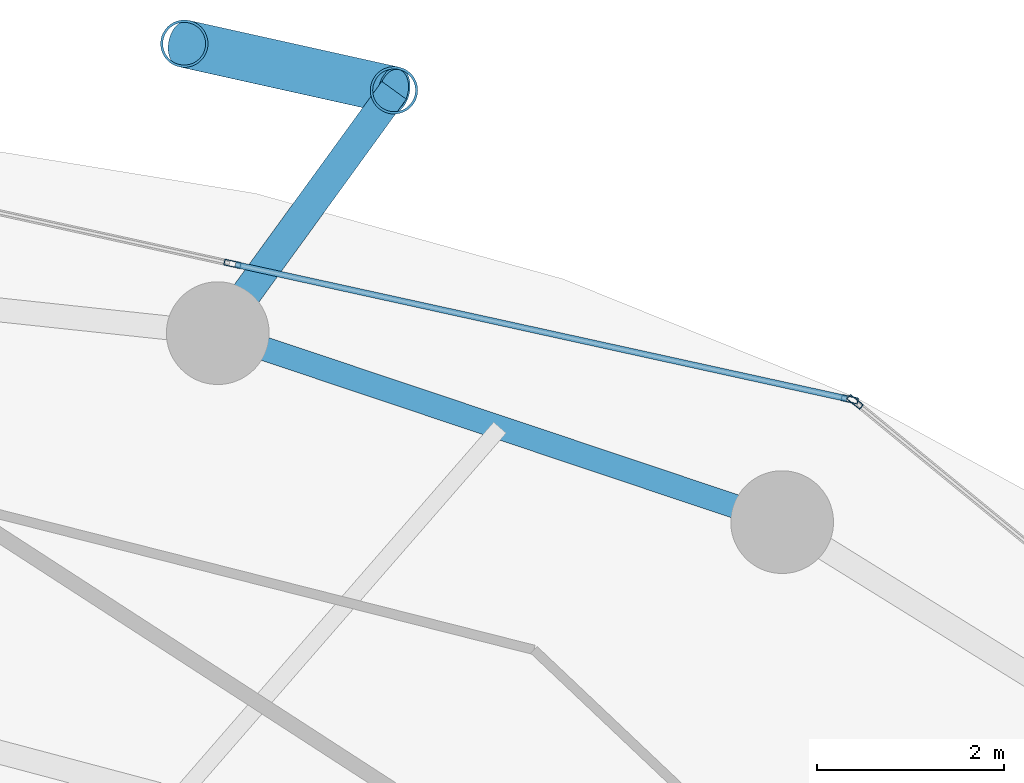
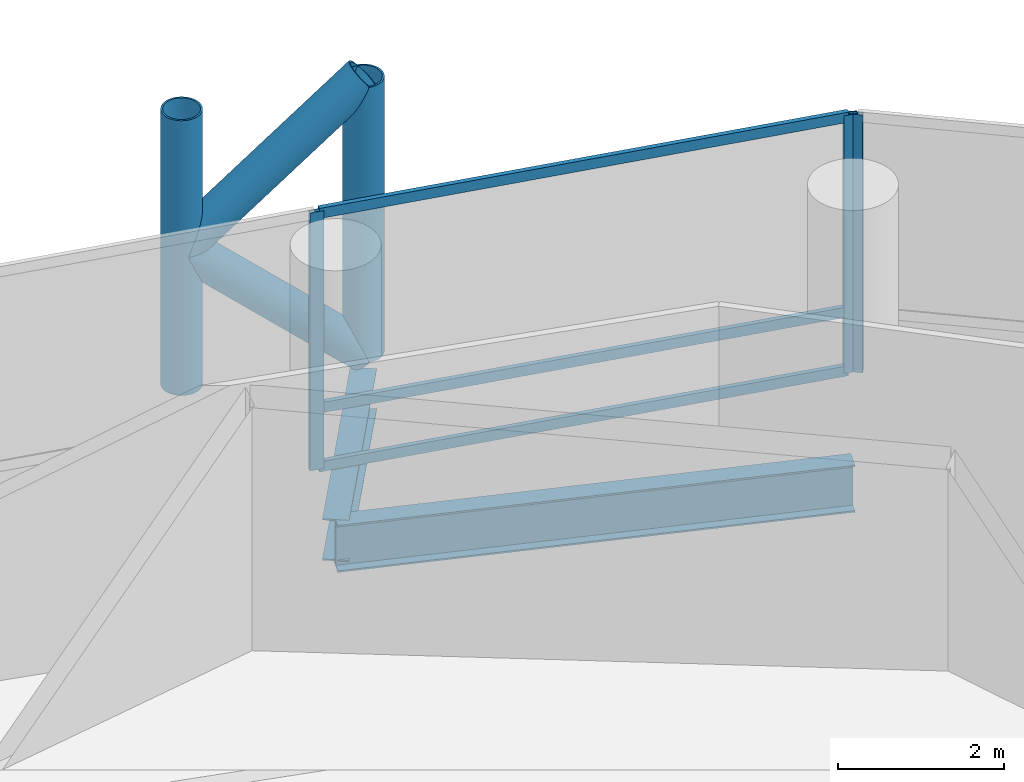
# One storey, part 18 of 24: 10 members, 2 beams, 2 elements without a shape of their own.
"""IFC4 building model written with IfcOpenShell, lengths in metres."""

from ifc_helpers import new_model, si_unit, direction, frame, origin, origin_2d, place, context, subcontext, project, spatial, hollow_rectangle, hollow_circle, i_section, extrude, material, layer, layer_set, material_profile, profile_set, type_object, element, aggregate, save


model = new_model("IFC4")

# Units and contexts
model_context = context("Model", 3, precision=1e-05, world=origin(), true_north=direction((0.0, 1.0)))
body_context = subcontext(model_context, "Body", "Model", "MODEL_VIEW")
ifc_project = project(units=[si_unit("LENGTHUNIT", "METRE"), si_unit("AREAUNIT", "SQUARE_METRE"), si_unit("VOLUMEUNIT", "CUBIC_METRE"), si_unit("PLANEANGLEUNIT", "RADIAN"), si_unit("MASSUNIT", "GRAM", prefix="KILO")], contexts=[model_context])

# Site, building, storey
site_placement = place(None, origin())
site = spatial("IfcSite", under=ifc_project, at=site_placement, CompositionType="ELEMENT")
building_placement = place(site_placement, origin())
building = spatial("IfcBuilding", under=site, at=building_placement, Name="Nuhasar Tower", CompositionType="ELEMENT")
storey_placement = place(building_placement, frame((0.0, 0.0, 69.60009765625)))
storey = spatial("IfcBuildingStorey", under=building, at=storey_placement, Name="L16", CompositionType="ELEMENT", Elevation=69.60009765625)

# Beams
ifc_material_1 = material(Name="Steel S355", Category="steel")
ifc_material_profile_1 = material_profile(ifc_material_1, i_section(OverallWidth=0.256103515625, OverallDepth=0.693115234375, WebThickness=0.014404296875, FlangeThickness=0.023681640625, at=origin_2d()), Name="W27X114")
ifc_profile_set_1 = profile_set([ifc_material_profile_1], Name="Steel S355")
beam_type_1 = type_object("IfcBeamType", Name="BM-RING-W27X114", PredefinedType="SPANDREL", material=ifc_profile_set_1)
beam_1_placement = place(storey_placement, frame((51.52490234375, 44.3369140625, -0.59716796875), z_axis=(-0.948249435708, 0.317526388949, 0.0), x_axis=(-0.317526388949, -0.948249435708, 0.0)))
element("IfcBeam", 1, at=beam_1_placement, inside=storey, type_object=beam_type_1, Name="L16 Perimeter Ring Spandrel 05", PredefinedType="SPANDREL", context=body_context, shape_type="SweptSolid", body=[
    extrude(i_section(OverallWidth=0.256103515625, OverallDepth=0.693115234375, WebThickness=0.014404296875, FlangeThickness=0.023681640625, at=origin_2d()), origin(), (0.0, 0.0, 1.0), 6.371826171875),
])
ifc_material_profile_2 = material_profile(ifc_material_1, i_section(OverallWidth=0.323974609375, OverallDepth=0.611083984375, WebThickness=0.0126953125, FlangeThickness=0.01904296875, at=origin_2d()), Name="W24X104")
ifc_profile_set_2 = profile_set([ifc_material_profile_2], Name="Steel S355")
beam_type_2 = type_object("IfcBeamType", Name="BM-TIE-W24X104", PredefinedType="BEAM", material=ifc_profile_set_2)
beam_2_placement = place(storey_placement, frame((45.48291015625, 46.360107421875, -0.55615234375), z_axis=(0.587439442414, 0.809268127073, 0.0), x_axis=(-0.809268127073, 0.587439442414, 0.0)))
element("IfcBeam", 2, at=beam_2_placement, inside=storey, type_object=beam_type_2, Name="L16 Exoskeleton Node Tie Beam 03", PredefinedType="BEAM", context=body_context, shape_type="SweptSolid", body=[
    extrude(i_section(OverallWidth=0.323974609375, OverallDepth=0.611083984375, WebThickness=0.0126953125, FlangeThickness=0.01904296875, at=origin_2d()), origin(), (0.0, 0.0, 1.0), 3.212646484375),
])

# Curtain wall, member
ifc_material_2 = material(Name="Aluminium 6063-T6", Category="aluminium")
ifc_layer = layer(ifc_material_2, 0.199951171875)
ifc_layer_set = layer_set([ifc_layer], Name="Aluminium 6063-T6")
curtain_wall_type = type_object("IfcCurtainWallType", Name="CW-Z1-OFF", PredefinedType="NOTDEFINED", material=ifc_layer_set)
curtain_wall_1_placement = place(storey_placement, origin())
curtain_wall_1 = element("IfcCurtainWall", 3, at=curtain_wall_1_placement, inside=storey, type_object=curtain_wall_type, Name="L16 Unitised Curtain Wall 02", PredefinedType="NOTDEFINED")
ifc_material_profile_3 = material_profile(ifc_material_2, hollow_rectangle(XDim=0.06494140625, YDim=0.179931640625, WallThickness=0.0048828125, at=origin_2d()), Name="CWM-2")
ifc_profile_set_3 = profile_set([ifc_material_profile_3], Name="Aluminium 6063-T6")
member_type_1 = type_object("IfcMemberType", Name="CW-MUL-S2", PredefinedType="MULLION", material=ifc_profile_set_3)
member_1_placement = place(storey_placement, frame((52.30517578125, 45.62451171875, 0.0), z_axis=(0.0, 0.0, 1.0), x_axis=(-0.633744593376, -0.773542364946, 0.0)))
member_1 = element("IfcMember", 4, at=member_1_placement, type_object=member_type_1, Name="CW-Z1 mullion 2", PredefinedType="MULLION", context=body_context, shape_type="SweptSolid", body=[
    extrude(hollow_rectangle(XDim=0.06494140625, YDim=0.179931640625, WallThickness=0.0048828125, at=origin_2d()), origin(), (0.0, 0.0, 1.0), 3.7998046875),
])
aggregate(curtain_wall_1, [member_1])

# Curtain wall, members
curtain_wall_2_placement = place(storey_placement, origin())
curtain_wall_2 = element("IfcCurtainWall", 5, at=curtain_wall_2_placement, inside=storey, type_object=curtain_wall_type, Name="L16 Unitised Curtain Wall 03", PredefinedType="NOTDEFINED")
member_2_placement = place(storey_placement, frame((52.248291015625, 45.65185546875, 0.0), z_axis=(0.0, 0.0, 1.0), x_axis=(-0.214398737637, -0.976746221544, 0.0)))
member_2 = element("IfcMember", 6, at=member_2_placement, type_object=member_type_1, Name="CW-Z1 mullion 1", PredefinedType="MULLION", context=body_context, shape_type="SweptSolid", body=[
    extrude(hollow_rectangle(XDim=0.06494140625, YDim=0.179931640625, WallThickness=0.0048828125, at=origin_2d()), origin(), (0.0, 0.0, 1.0), 3.7998046875),
])
member_3_placement = place(storey_placement, frame((45.639892578125, 47.1025390625, 0.0), z_axis=(0.0, 0.0, 1.0), x_axis=(-0.214398737637, -0.976746221544, 0.0)))
member_3 = element("IfcMember", 7, at=member_3_placement, type_object=member_type_1, Name="CW-Z1 mullion 2", PredefinedType="MULLION", context=body_context, shape_type="SweptSolid", body=[
    extrude(hollow_rectangle(XDim=0.06494140625, YDim=0.179931640625, WallThickness=0.0048828125, at=origin_2d()), origin(), (0.0, 0.0, 1.0), 3.7998046875),
])
ifc_material_profile_4 = material_profile(ifc_material_2, hollow_rectangle(XDim=0.06494140625, YDim=0.14990234375, WallThickness=0.00439453125, at=origin_2d()), Name="CWT-2")
ifc_profile_set_4 = profile_set([ifc_material_profile_4], Name="Aluminium 6063-T6")
member_type_2 = type_object("IfcMemberType", Name="CW-TRN-S2", PredefinedType="USERDEFINED", material=ifc_profile_set_4)
member_4_placement = place(storey_placement, frame((52.216552734375, 45.658935546875, 0.032470703125), z_axis=(-0.976749553792, 0.214383556196, 0.0), x_axis=(-0.214383556196, -0.976749553792, 0.0)))
member_4 = element("IfcMember", 8, at=member_4_placement, type_object=member_type_2, Name="CW-Z1 transom 1.1", ObjectType="TRANSOM", PredefinedType="USERDEFINED", context=body_context, shape_type="SweptSolid", body=[
    extrude(hollow_rectangle(XDim=0.06494140625, YDim=0.14990234375, WallThickness=0.00439453125, at=origin_2d()), origin(), (0.0, 0.0, 1.0), 6.70068359375),
])
member_5_placement = place(storey_placement, frame((52.216552734375, 45.658935546875, 0.89990234375), z_axis=(-0.976749553792, 0.214383556196, 0.0), x_axis=(-0.214383556196, -0.976749553792, 0.0)))
member_5 = element("IfcMember", 9, at=member_5_placement, type_object=member_type_2, Name="CW-Z1 transom 1.2", ObjectType="TRANSOM", PredefinedType="USERDEFINED", context=body_context, shape_type="SweptSolid", body=[
    extrude(hollow_rectangle(XDim=0.06494140625, YDim=0.14990234375, WallThickness=0.00439453125, at=origin_2d()), origin(), (0.0, 0.0, 1.0), 6.70068359375),
])
member_6_placement = place(storey_placement, frame((52.216552734375, 45.658935546875, 3.767333984375), z_axis=(-0.976749553792, 0.214383556196, 0.0), x_axis=(-0.214383556196, -0.976749553792, 0.0)))
member_6 = element("IfcMember", 10, at=member_6_placement, type_object=member_type_2, Name="CW-Z1 transom 1.3", ObjectType="TRANSOM", PredefinedType="USERDEFINED", context=body_context, shape_type="SweptSolid", body=[
    extrude(hollow_rectangle(XDim=0.06494140625, YDim=0.14990234375, WallThickness=0.00439453125, at=origin_2d()), origin(), (0.0, 0.0, 1.0), 6.70068359375),
])
aggregate(curtain_wall_2, [member_2, member_3, member_4, member_5, member_6])

# Members
ifc_material_3 = material(Name="Steel S460", Category="steel")
ifc_material_profile_5 = material_profile(ifc_material_3, hollow_circle(Radius=0.25390625, WallThickness=0.025390625, at=origin_2d()), Name="HSS508X25.4")
ifc_profile_set_5 = profile_set([ifc_material_profile_5], Name="Steel S460")
member_type_3 = type_object("IfcMemberType", Name="EXO-BRONZE-508", PredefinedType="BRACE", material=ifc_profile_set_5)
for number, where, z_axis, x_axis, name in (
    (11, (47.3701171875, 48.9599609375, 0.0), (0.0, 0.0, 1.0), (1.0, 0.0, 0.0), "L16 Exoskeleton Chord Column EC-03A"),
    (12, (45.1240234375, 49.458984375, 0.0), (0.0, 0.0, 1.0), (1.0, 0.0, 0.0), "L16 Exoskeleton Chord Column EC-03B"),
):
    element("IfcMember", number, at=place(storey_placement, frame(where, z_axis=z_axis, x_axis=x_axis)), inside=storey, type_object=member_type_3, Name=name, PredefinedType="BRACE", context=body_context, shape_type="SweptSolid", body=[
        extrude(hollow_circle(Radius=0.25390625, WallThickness=0.025390625, at=origin_2d()), origin(), (0.0, 0.0, 1.0), 4.0498046875),
    ])
for number, where, z_axis, x_axis, name in (
    (13, (47.3701171875, 48.9599609375, 0.0), (-0.732821471909, 0.162813813976, 0.660654487828), (-0.216885517571, -0.97619704582, 0.0), "L16 Bronze Diagrid Brace W1-03"),
    (14, (45.1240234375, 49.458984375, 2.02490234375), (0.732821471909, -0.162813813976, 0.660654487828), (0.216885517571, 0.97619704582, 0.0), "L16 Bronze Diagrid Brace W2-03"),
):
    element("IfcMember", number, at=place(storey_placement, frame(where, z_axis=z_axis, x_axis=x_axis)), inside=storey, type_object=member_type_3, Name=name, PredefinedType="BRACE", context=body_context, shape_type="SweptSolid", body=[
        extrude(hollow_circle(Radius=0.25390625, WallThickness=0.025390625, at=origin_2d()), origin(), (0.0, 0.0, 1.0), 3.06494140625),
    ])

save(model, "model.ifc")
